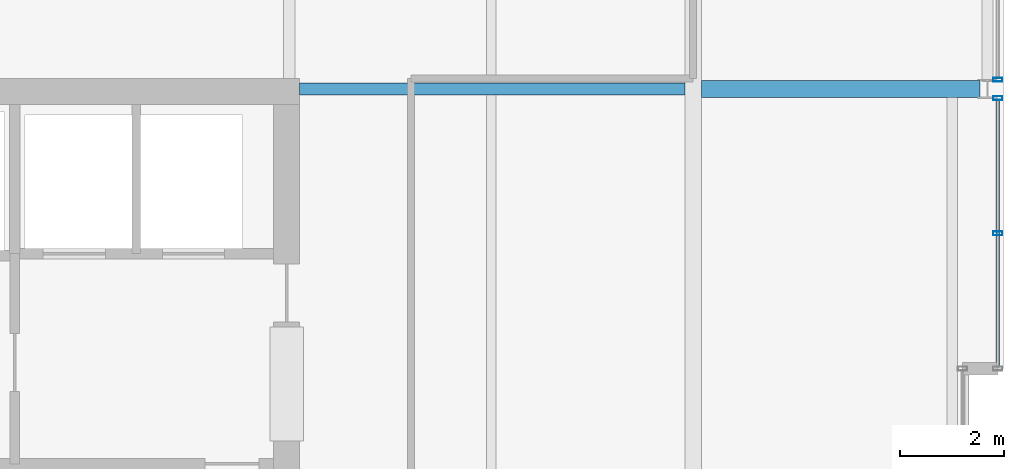
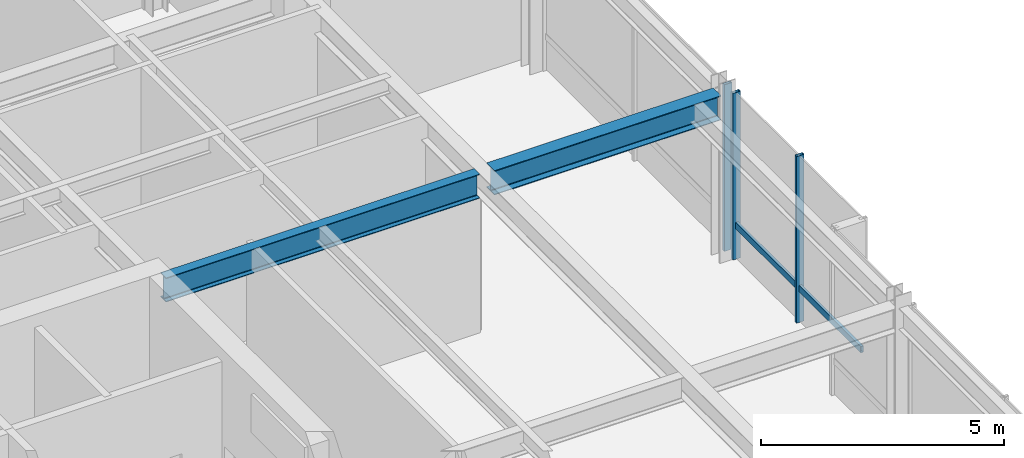
# One storey, part 23 of 32: 4 members, 2 beams, 2 elements without a shape of their own.
"""IFC4 building model written with IfcOpenShell, lengths in metres."""

from ifc_helpers import new_model, si_unit, direction, frame, origin, origin_2d, place, context, subcontext, project, spatial, hollow_rectangle, i_section, extrude, material, layer, layer_set, material_profile, profile_set, type_object, element, aggregate, save


model = new_model("IFC4")

# Units and contexts
model_context = context("Model", 3, precision=1e-05, world=origin(), true_north=direction((0.0, 1.0)))
body_context = subcontext(model_context, "Body", "Model", "MODEL_VIEW")
ifc_project = project(units=[si_unit("LENGTHUNIT", "METRE"), si_unit("AREAUNIT", "SQUARE_METRE"), si_unit("VOLUMEUNIT", "CUBIC_METRE"), si_unit("PLANEANGLEUNIT", "RADIAN"), si_unit("MASSUNIT", "GRAM", prefix="KILO")], contexts=[model_context])

# Site, building, storey
site_placement = place(None, origin())
site = spatial("IfcSite", under=ifc_project, at=site_placement, CompositionType="ELEMENT")
building_placement = place(site_placement, origin())
building = spatial("IfcBuilding", under=site, at=building_placement, Name="Drelvath Grand Hotel", CompositionType="ELEMENT")
storey_placement = place(building_placement, frame((0.0, 0.0, 255.5)))
storey = spatial("IfcBuildingStorey", under=building, at=storey_placement, Name="L67", CompositionType="ELEMENT", Elevation=255.5)

# Curtain wall, members
ifc_material_1 = material(Name="Platinum-Mist Anodised Aluminium Frame", Category="aluminium")
ifc_layer = layer(ifc_material_1, 0.199951171875)
ifc_layer_set = layer_set([ifc_layer], Name="Platinum-Mist Anodised Aluminium Frame")
curtain_wall_type = type_object("IfcCurtainWallType", Name="Stick Curtain Wall CW-05 Platinum Mist High-Rise", PredefinedType="NOTDEFINED", material=ifc_layer_set)
curtain_wall_1_placement = place(storey_placement, origin())
curtain_wall_1 = element("IfcCurtainWall", 1, at=curtain_wall_1_placement, inside=storey, type_object=curtain_wall_type, Name="L67 CW-05 Curtain Wall CW05-L67-EN1", PredefinedType="NOTDEFINED")
ifc_material_profile_1 = material_profile(ifc_material_1, hollow_rectangle(XDim=0.06494140625, YDim=0.159912109375, WallThickness=0.00390625, at=origin_2d()), Name="HSS160X65X4")
ifc_profile_set_1 = profile_set([ifc_material_profile_1], Name="Platinum-Mist Anodised Aluminium Frame")
member_type_1 = type_object("IfcMemberType", Name="Curtain Wall Horizontal Transom CW-05 HSS160X65X4", PredefinedType="USERDEFINED", material=ifc_profile_set_1)
member_1_placement = place(storey_placement, frame((22.080078125, 35.181884765625, 0.85009765625), z_axis=(0.0, -1.0, 0.0), x_axis=(1.0, 0.0, 0.0)))
member_1 = element("IfcMember", 2, at=member_1_placement, type_object=member_type_1, Name="CW05-L67-EN1 Sill Transom", ObjectType="TRANSOM", PredefinedType="USERDEFINED", context=body_context, shape_type="SweptSolid", body=[
    extrude(hollow_rectangle(XDim=0.06494140625, YDim=0.159912109375, WallThickness=0.00390625, at=origin_2d()), origin(), (0.0, 0.0, 1.0), 5.141845703125),
])
ifc_material_profile_2 = material_profile(ifc_material_1, hollow_rectangle(XDim=0.074951171875, YDim=0.179931640625, WallThickness=0.0048828125, at=origin_2d()), Name="HSS180X75X5")
ifc_profile_set_2 = profile_set([ifc_material_profile_2], Name="Platinum-Mist Anodised Aluminium Frame")
member_type_2 = type_object("IfcMemberType", Name="Curtain Wall Vertical Mullion CW-05 HSS180X75X5", PredefinedType="MULLION", material=ifc_profile_set_2)
member_2_placement = place(storey_placement, frame((22.080078125, 35.2216796875, 0.0), z_axis=(0.0, 0.0, 1.0), x_axis=(0.0, 1.0, 0.0)))
member_2 = element("IfcMember", 3, at=member_2_placement, type_object=member_type_2, Name="CW05-L67-EN1 Mullion 1", PredefinedType="MULLION", context=body_context, shape_type="SweptSolid", body=[
    extrude(hollow_rectangle(XDim=0.074951171875, YDim=0.179931640625, WallThickness=0.0048828125, at=origin_2d()), origin(), (0.0, 0.0, 1.0), 4.179931640625),
])
member_3_placement = place(storey_placement, frame((22.080078125, 32.61083984375, 0.0), z_axis=(0.0, 0.0, 1.0), x_axis=(0.0, 1.0, 0.0)))
member_3 = element("IfcMember", 4, at=member_3_placement, type_object=member_type_2, Name="CW05-L67-EN1 Mullion 2", PredefinedType="MULLION", context=body_context, shape_type="SweptSolid", body=[
    extrude(hollow_rectangle(XDim=0.074951171875, YDim=0.179931640625, WallThickness=0.0048828125, at=origin_2d()), origin(), (0.0, 0.0, 1.0), 4.179931640625),
])
aggregate(curtain_wall_1, [member_2, member_3, member_1])

# Curtain wall, member
curtain_wall_2_placement = place(storey_placement, origin())
curtain_wall_2 = element("IfcCurtainWall", 5, at=curtain_wall_2_placement, inside=storey, type_object=curtain_wall_type, Name="L67 CW-05 Curtain Wall CW05-L67-EN2", PredefinedType="NOTDEFINED")
member_4_placement = place(storey_placement, frame((22.080078125, 35.578125, 0.0), z_axis=(0.0, 0.0, 1.0), x_axis=(0.0, 1.0, 0.0)))
member_4 = element("IfcMember", 6, at=member_4_placement, type_object=member_type_2, Name="CW05-L67-EN2 Mullion 3", PredefinedType="MULLION", context=body_context, shape_type="SweptSolid", body=[
    extrude(hollow_rectangle(XDim=0.074951171875, YDim=0.179931640625, WallThickness=0.0048828125, at=origin_2d()), origin(), (0.0, 0.0, 1.0), 4.179931640625),
])
aggregate(curtain_wall_2, [member_4])

# Beams
ifc_material_2 = material(Name="Steel ASTM A992 Gr 50", Category="steel")
ifc_material_profile_3 = material_profile(ifc_material_2, i_section(OverallWidth=0.323974609375, OverallDepth=0.611083984375, WebThickness=0.0126953125, FlangeThickness=0.01904296875, FilletRadius=0.02197265625, at=origin_2d()), Name="W24X104")
ifc_profile_set_3 = profile_set([ifc_material_profile_3], Name="Steel ASTM A992 Gr 50")
beam_type_1 = type_object("IfcBeamType", Name="Primary Floor Girder W24X104", PredefinedType="BEAM", material=ifc_profile_set_3)
beam_1_placement = place(storey_placement, frame((16.362060546875, 35.39990234375, 3.87451171875), z_axis=(1.0, 0.0, 0.0), x_axis=(0.0, 1.0, 0.0)))
element("IfcBeam", 7, at=beam_1_placement, inside=storey, type_object=beam_type_1, Name="L67 East Wing Girder F", PredefinedType="BEAM", context=body_context, shape_type="SweptSolid", body=[
    extrude(i_section(OverallWidth=0.323974609375, OverallDepth=0.611083984375, WebThickness=0.0126953125, FlangeThickness=0.01904296875, FilletRadius=0.02197265625, at=origin_2d()), origin(), (0.0, 0.0, 1.0), 5.3779296875),
])
ifc_material_profile_4 = material_profile(ifc_material_2, i_section(OverallWidth=0.228271484375, OverallDepth=0.607666015625, WebThickness=0.01123046875, FlangeThickness=0.017333984375, FilletRadius=0.02001953125, at=origin_2d()), Name="W24X76")
ifc_profile_set_4 = profile_set([ifc_material_profile_4], Name="Steel ASTM A992 Gr 50")
beam_type_2 = type_object("IfcBeamType", Name="Primary Floor Girder W24X76", PredefinedType="BEAM", material=ifc_profile_set_4)
beam_2_placement = place(storey_placement, frame((8.60009765625, 35.39990234375, 3.876220703125), z_axis=(1.0, 0.0, 0.0), x_axis=(0.0, 1.0, 0.0)))
element("IfcBeam", 8, at=beam_2_placement, inside=storey, type_object=beam_type_2, Name="L67 East Core Tie F", PredefinedType="BEAM", context=body_context, shape_type="SweptSolid", body=[
    extrude(i_section(OverallWidth=0.228271484375, OverallDepth=0.607666015625, WebThickness=0.01123046875, FlangeThickness=0.017333984375, FilletRadius=0.02001953125, at=origin_2d()), origin(), (0.0, 0.0, 1.0), 7.43798828125),
])

save(model, "model.ifc")
